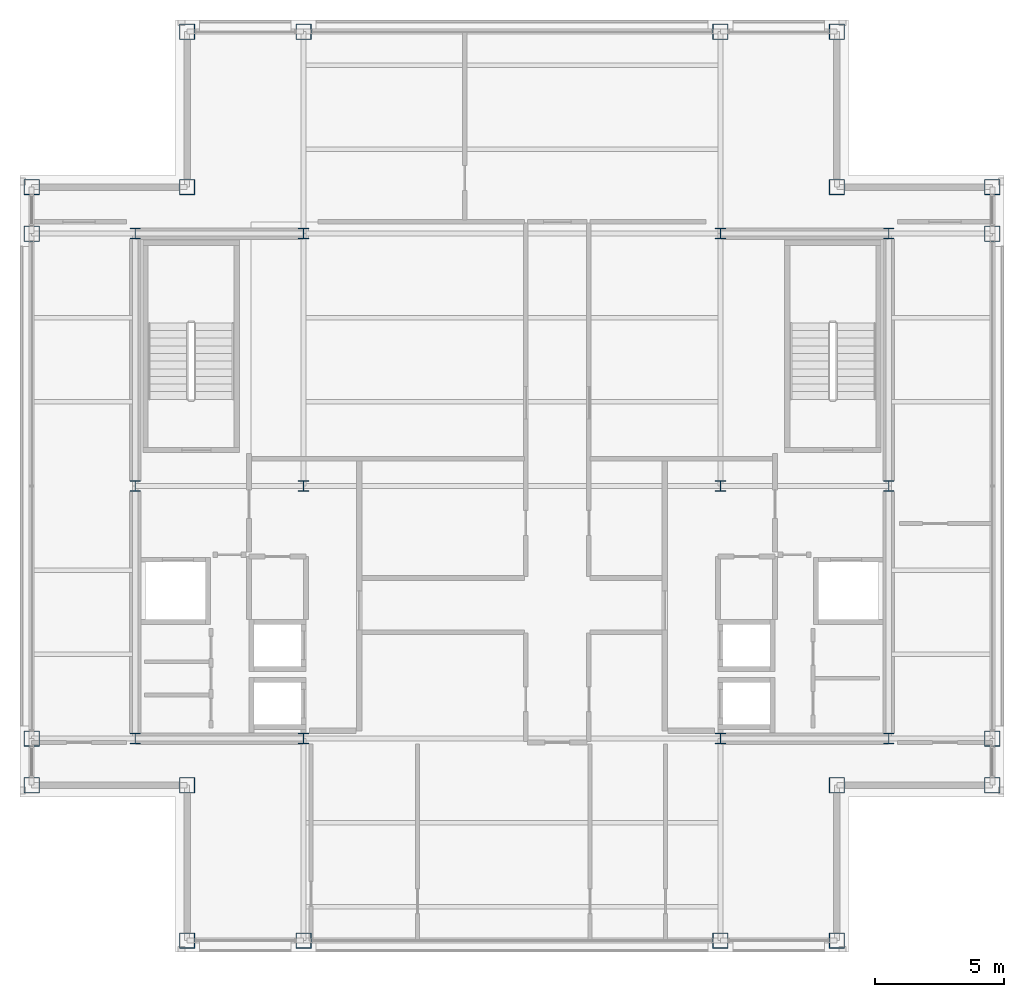
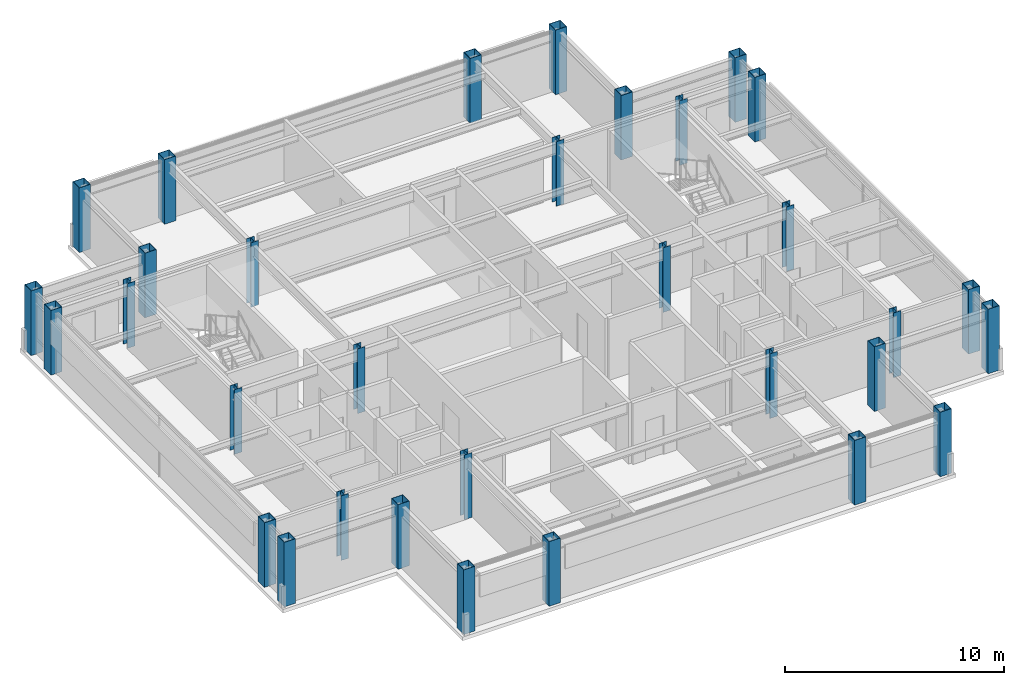
# One storey, part 1 of 20: 32 columns.
"""IFC4 building model written with IfcOpenShell, lengths in metres."""

import ifcopenshell
import ifcopenshell.guid

model = None  # the IFC model being written
_history = None  # IfcOwnerHistory: only IFC2X3 demands one
_inside = {}  # id of a spatial element -> (the spatial element, [elements in it])
_under = {}  # id of a project, library or spatial element -> (it, [spatial elements below it])
_declared = {}  # id of a project -> (the project, [libraries it declares])
_typed = {}  # id of a type object -> (the type object, [elements of that type])
_made_of = {}  # id of a material, layer set ... -> (it, [elements and type objects made of it])


def new_model(schema):
    """Start an empty IFC model of exactly this schema.

    Asked for "IFC4X3", IfcOpenShell would pick the latest addendum, in which some entities
    have other attributes; the version numbers below select the first issue.
    IFC2X3 requires an IfcOwnerHistory on every rooted entity: one is made here for all.
    """
    global model, _history
    if schema == "IFC4X3":
        model = ifcopenshell.file(schema_version=(4, 3, 0, 0))
    else:
        model = ifcopenshell.file(schema=schema)
    _inside.clear()
    _under.clear()
    _declared.clear()
    _typed.clear()
    _made_of.clear()
    _history = None
    if model.schema == "IFC2X3":
        org = make("IfcOrganization", Name="unknown")
        user = make(
            "IfcPersonAndOrganization",
            ThePerson=make("IfcPerson", FamilyName="unknown"),
            TheOrganization=org,
        )
        app = make(
            "IfcApplication",
            ApplicationDeveloper=org,
            Version="unknown",
            ApplicationFullName="unknown",
            ApplicationIdentifier="unknown",
        )
        _history = make(
            "IfcOwnerHistory",
            OwningUser=user,
            OwningApplication=app,
            ChangeAction="ADDED",
            CreationDate=0,
        )
    return model


def make(cls, **values):
    """One entity of the class cls with the attributes given. An attribute that is None is left unset."""
    return model.create_entity(
        cls, **{name: value for name, value in values.items() if value is not None}
    )


def rooted(cls, **values):
    """An entity with a GlobalId (a new one), such as an element, a storey or a relation."""
    return make(cls, GlobalId=ifcopenshell.guid.new(), OwnerHistory=_history, **values)


def si_unit(unit_type, name, prefix=None):
    """IfcSIUnit, for example si_unit("LENGTHUNIT", "METRE", prefix="MILLI")."""
    return make("IfcSIUnit", UnitType=unit_type, Prefix=prefix, Name=name)


def assignment(units):
    """IfcUnitAssignment: the units of a project."""
    return None if units is None else make("IfcUnitAssignment", Units=units)


def point(xyz):
    """IfcCartesianPoint."""
    return None if xyz is None else make("IfcCartesianPoint", Coordinates=xyz)


def direction(xyz):
    """IfcDirection."""
    return None if xyz is None else make("IfcDirection", DirectionRatios=xyz)


def frame(location, z_axis=None, x_axis=None):
    """IfcAxis2Placement3D, a coordinate frame: its origin and axes. An axis left out is left unset."""
    return make(
        "IfcAxis2Placement3D",
        Location=point(location),
        Axis=direction(z_axis),
        RefDirection=direction(x_axis),
    )


def frame_2d(location, x_axis=None):
    """IfcAxis2Placement2D, a coordinate frame in the plane: its origin and x axis."""
    return make(
        "IfcAxis2Placement2D", Location=point(location), RefDirection=direction(x_axis)
    )


def origin():
    """The frame at (0, 0, 0) with its axes left unset."""
    return frame((0.0, 0.0, 0.0))


def origin_2d():
    """The frame at (0, 0) in the plane with its x axis left unset."""
    return frame_2d((0.0, 0.0))


def place(relative_to, where):
    """IfcLocalPlacement: puts the frame where relative to a parent placement (None: the world)."""
    return make(
        "IfcLocalPlacement", PlacementRelTo=relative_to, RelativePlacement=where
    )


def context(
    kind, dimensions, precision=None, world=None, true_north=None, identifier=None
):
    """IfcGeometricRepresentationContext, for example the 3D "Model" context."""
    return make(
        "IfcGeometricRepresentationContext",
        ContextIdentifier=identifier,
        ContextType=kind,
        CoordinateSpaceDimension=dimensions,
        Precision=precision,
        WorldCoordinateSystem=world,
        TrueNorth=true_north,
    )


def subcontext(parent, identifier, kind, view, scale=None):
    """IfcGeometricRepresentationSubContext, for example "Body" below "Model"."""
    return make(
        "IfcGeometricRepresentationSubContext",
        ContextIdentifier=identifier,
        ContextType=kind,
        ParentContext=parent,
        TargetScale=scale,
        TargetView=view,
    )


def project(units=None, contexts=None):
    """IfcProject with its units and contexts."""
    return rooted(
        "IfcProject",
        Name="project",
        RepresentationContexts=contexts,
        UnitsInContext=assignment(units),
    )


def spatial(cls, under=None, at=None, **own):
    """A site, building, storey or space (cls), placed at a placement, below another one or the project."""
    s = rooted(cls, ObjectPlacement=at, **own)
    if under is not None:
        _under.setdefault(under.id(), (under, []))[1].append(s)
    return s


def profile(cls, at=None, kind="AREA", **sizes):
    """A parametric profile (cls). Its sizes go by their IFC names, for example OverallWidth=200.0."""
    return make(cls, ProfileType=kind, Position=at, **sizes)


def hollow_rectangle(**sizes):
    """IfcRectangleHollowProfileDef."""
    return profile("IfcRectangleHollowProfileDef", **sizes)


def i_section(**sizes):
    """IfcIShapeProfileDef."""
    return profile("IfcIShapeProfileDef", **sizes)


def extrude(swept, where, along, depth):
    """IfcExtrudedAreaSolid: the profile swept, set in the frame where, extruded along a direction by depth."""
    return make(
        "IfcExtrudedAreaSolid",
        SweptArea=swept,
        Position=where,
        ExtrudedDirection=direction(along),
        Depth=depth,
    )


def shape(context_of_items, identifier, shape_type, items):
    """IfcShapeRepresentation: the items that make up one representation, for example the "Body"."""
    return make(
        "IfcShapeRepresentation",
        ContextOfItems=context_of_items,
        RepresentationIdentifier=identifier,
        RepresentationType=shape_type,
        Items=items,
    )


def material(Name=None, Category=None):
    """IfcMaterial."""
    return make("IfcMaterial", Name=Name, Category=Category)


def material_profile(
    of_material, cross_section, Name=None, Category=None, Priority=None
):
    """IfcMaterialProfile: a cross section and its material."""
    return make(
        "IfcMaterialProfile",
        Name=Name,
        Material=of_material,
        Profile=cross_section,
        Priority=Priority,
        Category=Category,
    )


def profile_set(profiles, Name=None, composite=None):
    """IfcMaterialProfileSet."""
    return make(
        "IfcMaterialProfileSet",
        Name=Name,
        MaterialProfiles=profiles,
        CompositeProfile=composite,
    )


def made_of(thing, what):
    """Note that an element or type object is made of a material, layer set ...; save() writes the relation."""
    if what is not None:
        _made_of.setdefault(what.id(), (what, []))[1].append(thing)
    return thing


def type_object(cls, material=None, **own):
    """A type object (cls), such as IfcWallType, which elements share."""
    return made_of(rooted(cls, **own), material)


def element(
    cls,
    number,
    at=None,
    inside=None,
    cuts=None,
    type_object=None,
    material=None,
    context=None,
    identifier="Body",
    shape_type=None,
    held_by="IfcProductDefinitionShape",
    body=None,
    shapes=None,
    **own,
):
    """One element of the class cls, such as IfcWall. Its Tag is "e" and its number.

    at: its placement. inside: the storey or other place that contains it. cuts: it is an
    opening in that element (IfcRelVoidsElement). A single representation is given by context,
    identifier, shape_type and body (its items); several are given by shapes. held_by: the class
    of the entity that holds the representations. save() writes the other relations.
    """
    e = rooted(cls, Tag="e%d" % number, ObjectPlacement=at, **own)
    if body is not None:
        shapes = [shape(context, identifier, shape_type, body)]
    if shapes is not None:
        e.Representation = make(held_by, Representations=shapes)
    if inside is not None:
        _inside.setdefault(inside.id(), (inside, []))[1].append(e)
    if cuts is not None:
        rooted(
            "IfcRelVoidsElement", RelatingBuildingElement=cuts, RelatedOpeningElement=e
        )
    if type_object is not None:
        _typed.setdefault(type_object.id(), (type_object, []))[1].append(e)
    return made_of(e, material)


def aggregate(whole, parts):
    """IfcRelAggregates: a whole, such as a stair, and the parts it consists of."""
    return rooted("IfcRelAggregates", RelatingObject=whole, RelatedObjects=parts)


def save(model, path):
    """Write the relations noted so far, then the file.

    IfcRelAggregates (storeys below a building ...), IfcRelContainedInSpatialStructure (elements
    in a storey), IfcRelDefinesByType, IfcRelAssociatesMaterial and IfcRelDeclares: one each for
    every whole, place, type object, material and project.
    """
    for whole, parts in _under.values():
        aggregate(whole, parts)
    for where, things in _inside.values():
        rooted(
            "IfcRelContainedInSpatialStructure",
            RelatedElements=things,
            RelatingStructure=where,
        )
    for kind, things in _typed.values():
        rooted("IfcRelDefinesByType", RelatedObjects=things, RelatingType=kind)
    for what, things in _made_of.values():
        rooted("IfcRelAssociatesMaterial", RelatedObjects=things, RelatingMaterial=what)
    for by, libraries in _declared.values():
        rooted("IfcRelDeclares", RelatingContext=by, RelatedDefinitions=libraries)
    model.write(path)


model = new_model("IFC4")

# Units and contexts
model_context = context("Model", 3, precision=1e-05, world=origin(), true_north=direction((0.0, 1.0)))
body_context = subcontext(model_context, "Body", "Model", "MODEL_VIEW")
ifc_project = project(units=[si_unit("LENGTHUNIT", "METRE"), si_unit("AREAUNIT", "SQUARE_METRE"), si_unit("VOLUMEUNIT", "CUBIC_METRE"), si_unit("PLANEANGLEUNIT", "RADIAN"), si_unit("MASSUNIT", "GRAM", prefix="KILO")], contexts=[model_context])

# Site, building, storey
site_placement = place(None, origin())
site = spatial("IfcSite", under=ifc_project, at=site_placement, CompositionType="ELEMENT")
building_placement = place(site_placement, origin())
building = spatial("IfcBuilding", under=site, at=building_placement, Name="Brelmoor Portico Tower", CompositionType="ELEMENT")
storey_placement = place(building_placement, frame((0.0, 0.0, 272.39990234375)))
storey = spatial("IfcBuildingStorey", under=building, at=storey_placement, Name="L72", CompositionType="ELEMENT", Elevation=272.39990234375)

# Columns
ifc_material = material(Name="Steel Q355B", Category="steel")
ifc_material_profile_1 = material_profile(ifc_material, hollow_rectangle(XDim=0.60009765625, YDim=0.60009765625, WallThickness=0.02490234375, at=origin_2d()), Name="BOX 600x600x25")
ifc_profile_set_1 = profile_set([ifc_material_profile_1], Name="Steel Q355B")
column_type_1 = type_object("IfcColumnType", Name="COL-MEGA-600", PredefinedType="COLUMN", material=ifc_profile_set_1)
for number, where, z_axis, x_axis, name in (
    (1, (-12.550048828125, -17.550048828125, 0.0), (0.0, 0.0, 1.0), (1.0, 0.0, 0.0), "L72 Perimeter Mega-Column PS01"),
    (2, (-8.050048828125, -17.550048828125, 0.0), (0.0, 0.0, 1.0), (1.0, 0.0, 0.0), "L72 Perimeter Mega-Column PS02"),
    (3, (8.050048828125, -17.550048828125, 0.0), (0.0, 0.0, 1.0), (1.0, 0.0, 0.0), "L72 Perimeter Mega-Column PS03"),
    (4, (12.550048828125, -17.550048828125, 0.0), (0.0, 0.0, 1.0), (1.0, 0.0, 0.0), "L72 Perimeter Mega-Column PS04"),
    (5, (-12.550048828125, 17.550048828125, 0.0), (0.0, 0.0, 1.0), (1.0, 0.0, 0.0), "L72 Perimeter Mega-Column PN01"),
    (6, (-8.050048828125, 17.550048828125, 0.0), (0.0, 0.0, 1.0), (1.0, 0.0, 0.0), "L72 Perimeter Mega-Column PN02"),
    (7, (8.050048828125, 17.550048828125, 0.0), (0.0, 0.0, 1.0), (1.0, 0.0, 0.0), "L72 Perimeter Mega-Column PN03"),
    (8, (12.550048828125, 17.550048828125, 0.0), (0.0, 0.0, 1.0), (1.0, 0.0, 0.0), "L72 Perimeter Mega-Column PN04"),
    (9, (-18.550048828125, -11.550048828125, 0.0), (0.0, 0.0, 1.0), (0.0, 1.0, 0.0), "L72 Perimeter Mega-Column PW01"),
    (10, (-18.550048828125, -9.75, 0.0), (0.0, 0.0, 1.0), (0.0, 1.0, 0.0), "L72 Perimeter Mega-Column PW02"),
    (11, (-18.550048828125, 9.75, 0.0), (0.0, 0.0, 1.0), (0.0, 1.0, 0.0), "L72 Perimeter Mega-Column PW03"),
    (12, (-18.550048828125, 11.550048828125, 0.0), (0.0, 0.0, 1.0), (0.0, 1.0, 0.0), "L72 Perimeter Mega-Column PW04"),
    (13, (18.550048828125, -11.550048828125, 0.0), (0.0, 0.0, 1.0), (0.0, 1.0, 0.0), "L72 Perimeter Mega-Column PE01"),
    (14, (18.550048828125, -9.75, 0.0), (0.0, 0.0, 1.0), (0.0, 1.0, 0.0), "L72 Perimeter Mega-Column PE02"),
    (15, (18.550048828125, 9.75, 0.0), (0.0, 0.0, 1.0), (0.0, 1.0, 0.0), "L72 Perimeter Mega-Column PE03"),
    (16, (18.550048828125, 11.550048828125, 0.0), (0.0, 0.0, 1.0), (0.0, 1.0, 0.0), "L72 Perimeter Mega-Column PE04"),
    (17, (-12.550048828125, 11.550048828125, 0.0), (0.0, 0.0, 1.0), (1.0, 0.0, 0.0), "L72 Perimeter Mega-Column PC-NW"),
    (18, (12.550048828125, 11.550048828125, 0.0), (0.0, 0.0, 1.0), (1.0, 0.0, 0.0), "L72 Perimeter Mega-Column PC-NE"),
    (19, (12.550048828125, -11.550048828125, 0.0), (0.0, 0.0, 1.0), (1.0, 0.0, 0.0), "L72 Perimeter Mega-Column PC-SE"),
    (20, (-12.550048828125, -11.550048828125, 0.0), (0.0, 0.0, 1.0), (1.0, 0.0, 0.0), "L72 Perimeter Mega-Column PC-SW"),
):
    element("IfcColumn", number, at=place(storey_placement, frame(where, z_axis=z_axis, x_axis=x_axis)), inside=storey, type_object=column_type_1, Name=name, PredefinedType="COLUMN", context=body_context, shape_type="SweptSolid", body=[
        extrude(hollow_rectangle(XDim=0.60009765625, YDim=0.60009765625, WallThickness=0.02490234375, at=origin_2d()), origin(), (0.0, 0.0, 1.0), 3.60009765625),
    ])
ifc_material_profile_2 = material_profile(ifc_material, i_section(OverallWidth=0.39990234375, OverallDepth=0.39990234375, WebThickness=0.012939453125, FlangeThickness=0.02099609375, at=origin_2d()), Name="HW 400x400x13x21")
ifc_profile_set_2 = profile_set([ifc_material_profile_2], Name="Steel Q355B")
column_type_2 = type_object("IfcColumnType", Name="COL-SPINE-400", PredefinedType="COLUMN", material=ifc_profile_set_2)
for number, where, z_axis, x_axis, name in (
    (21, (-14.550048828125, -9.75, 0.0), (0.0, 0.0, 1.0), (1.0, 0.0, 0.0), "L72 Core Spine Column CW-SW"),
    (22, (-14.550048828125, 0.0, 0.0), (0.0, 0.0, 1.0), (1.0, 0.0, 0.0), "L72 Core Spine Column CW-MW"),
    (23, (-14.550048828125, 9.75, 0.0), (0.0, 0.0, 1.0), (1.0, 0.0, 0.0), "L72 Core Spine Column CW-NW"),
    (24, (-8.050048828125, -9.75, 0.0), (0.0, 0.0, 1.0), (1.0, 0.0, 0.0), "L72 Core Spine Column CW-SE"),
    (25, (-8.050048828125, 0.0, 0.0), (0.0, 0.0, 1.0), (1.0, 0.0, 0.0), "L72 Core Spine Column CW-ME"),
    (26, (-8.050048828125, 9.75, 0.0), (0.0, 0.0, 1.0), (1.0, 0.0, 0.0), "L72 Core Spine Column CW-NE"),
    (27, (8.050048828125, -9.75, 0.0), (0.0, 0.0, 1.0), (1.0, 0.0, 0.0), "L72 Core Spine Column CE-SW"),
    (28, (8.050048828125, 0.0, 0.0), (0.0, 0.0, 1.0), (1.0, 0.0, 0.0), "L72 Core Spine Column CE-MW"),
    (29, (8.050048828125, 9.75, 0.0), (0.0, 0.0, 1.0), (1.0, 0.0, 0.0), "L72 Core Spine Column CE-NW"),
    (30, (14.550048828125, -9.75, 0.0), (0.0, 0.0, 1.0), (1.0, 0.0, 0.0), "L72 Core Spine Column CE-SE"),
    (31, (14.550048828125, 0.0, 0.0), (0.0, 0.0, 1.0), (1.0, 0.0, 0.0), "L72 Core Spine Column CE-ME"),
    (32, (14.550048828125, 9.75, 0.0), (0.0, 0.0, 1.0), (1.0, 0.0, 0.0), "L72 Core Spine Column CE-NE"),
):
    element("IfcColumn", number, at=place(storey_placement, frame(where, z_axis=z_axis, x_axis=x_axis)), inside=storey, type_object=column_type_2, Name=name, PredefinedType="COLUMN", context=body_context, shape_type="SweptSolid", body=[
        extrude(i_section(OverallWidth=0.39990234375, OverallDepth=0.39990234375, WebThickness=0.012939453125, FlangeThickness=0.02099609375, at=origin_2d()), origin(), (0.0, 0.0, 1.0), 3.60009765625),
    ])

save(model, "model.ifc")
